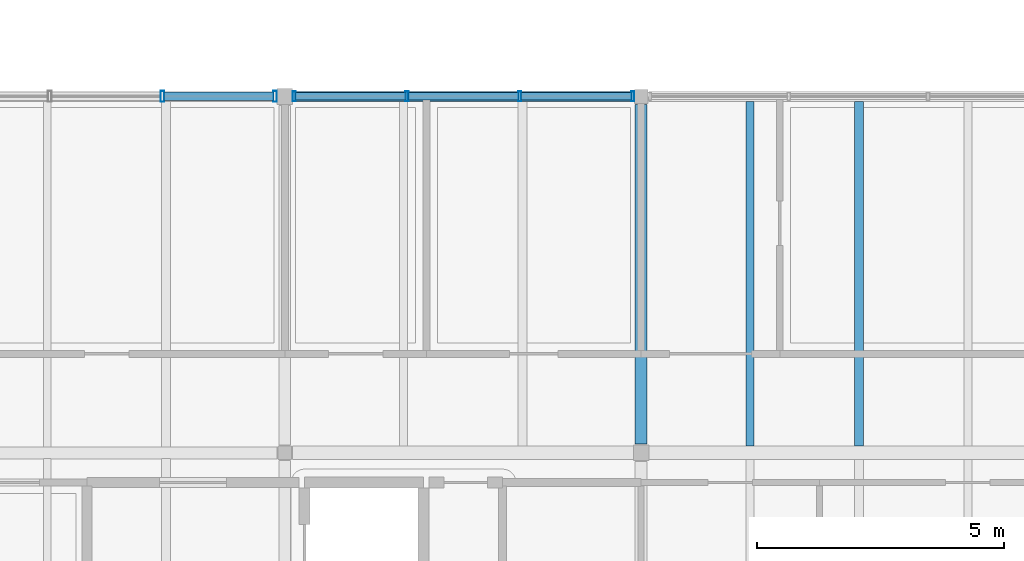
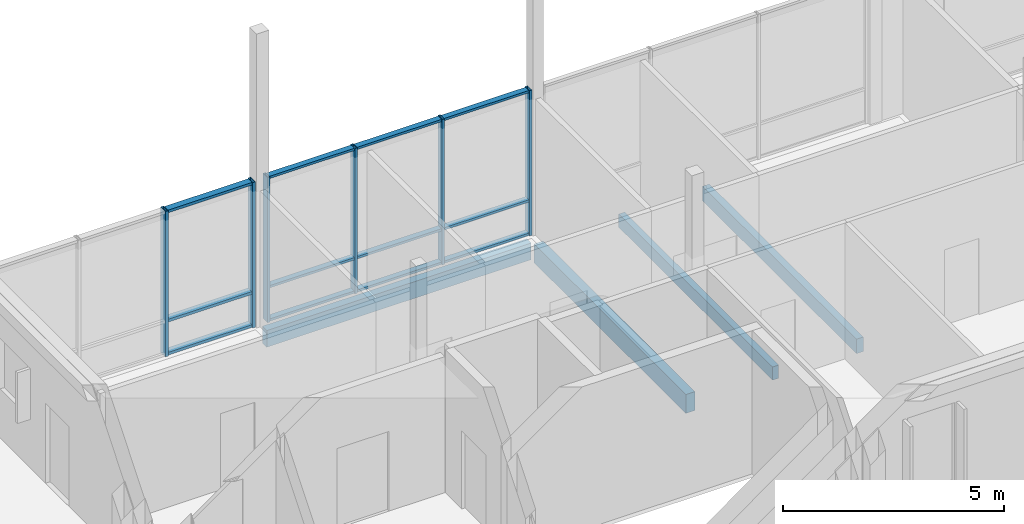
# One storey, part 9 of 57: 18 members, 4 beams, 2 elements without a shape of their own.
"""IFC4 building model written with IfcOpenShell, lengths in metres."""

from ifc_helpers import new_model, si_unit, direction, frame, origin, origin_2d, place, context, subcontext, project, spatial, rectangle, hollow_rectangle, extrude, material, material_profile, profile_set, type_object, element, aggregate, save


model = new_model("IFC4")

# Units and contexts
model_context = context("Model", 3, precision=1e-05, world=origin(), true_north=direction((0.0, 1.0)))
body_context = subcontext(model_context, "Body", "Model", "MODEL_VIEW")
ifc_project = project(units=[si_unit("LENGTHUNIT", "METRE"), si_unit("AREAUNIT", "SQUARE_METRE"), si_unit("VOLUMEUNIT", "CUBIC_METRE"), si_unit("PLANEANGLEUNIT", "RADIAN"), si_unit("MASSUNIT", "GRAM", prefix="KILO")], contexts=[model_context])

# Site, building, storey
site_placement = place(None, origin())
site = spatial("IfcSite", under=ifc_project, at=site_placement, CompositionType="ELEMENT")
building_placement = place(site_placement, origin())
building = spatial("IfcBuilding", under=site, at=building_placement, Name="Hawrajan Terrace Health Centre", CompositionType="ELEMENT")
storey_placement = place(building_placement, frame((0.0, 0.0, 13.199951171875)))
storey = spatial("IfcBuildingStorey", under=building, at=storey_placement, Name="L03", CompositionType="ELEMENT", Elevation=13.199951171875)

# Curtain wall, members
ifc_material_1 = material(Name="Anodized bronze aluminium and low-E solar glazing", Category="aluminium")
curtain_wall_type_1 = type_object("IfcCurtainWallType", Name="CW_Setback_SeriesL1", PredefinedType="USERDEFINED", material=ifc_material_1)
curtain_wall_1_placement = place(storey_placement, origin())
curtain_wall_1 = element("IfcCurtainWall", 1, at=curtain_wall_1_placement, inside=storey, type_object=curtain_wall_type_1, Name="Curtain wall CW-L03-166", ObjectType="UNITISED CURTAIN WALL", PredefinedType="USERDEFINED")
ifc_material_2 = material(Name="Anodized bronze aluminium 6063-T6", Category="aluminium")
ifc_material_profile_1 = material_profile(ifc_material_2, hollow_rectangle(XDim=0.06494140625, YDim=0.199951171875, WallThickness=0.00439453125, at=origin_2d()), Name="CW MUL 65x200")
ifc_profile_set_1 = profile_set([ifc_material_profile_1], Name="Anodized bronze aluminium 6063-T6")
member_type_1 = type_object("IfcMemberType", Name="CWMullion_65x200", PredefinedType="MULLION", material=ifc_profile_set_1)
member_1_placement = place(storey_placement, frame((55.1923828125, 18.60009765625, -0.0048828125), z_axis=(0.0, 0.0, 1.0), x_axis=(1.0, 0.0, 0.0)))
member_1 = element("IfcMember", 2, at=member_1_placement, type_object=member_type_1, Name="Mullion CW-L03-166-M1", PredefinedType="MULLION", context=body_context, shape_type="SweptSolid", body=[
    extrude(hollow_rectangle(XDim=0.06494140625, YDim=0.199951171875, WallThickness=0.00439453125, at=origin_2d()), origin(), (0.0, 0.0, 1.0), 4.010009765625),
])
member_2_placement = place(storey_placement, frame((57.470703125, 18.60009765625, -0.0048828125), z_axis=(0.0, 0.0, 1.0), x_axis=(1.0, 0.0, 0.0)))
member_2 = element("IfcMember", 3, at=member_2_placement, type_object=member_type_1, Name="Mullion CW-L03-166-M2", PredefinedType="MULLION", context=body_context, shape_type="SweptSolid", body=[
    extrude(hollow_rectangle(XDim=0.06494140625, YDim=0.199951171875, WallThickness=0.00439453125, at=origin_2d()), origin(), (0.0, 0.0, 1.0), 4.010009765625),
])
member_3_placement = place(storey_placement, frame((59.749267578125, 18.60009765625, -0.0048828125), z_axis=(0.0, 0.0, 1.0), x_axis=(1.0, 0.0, 0.0)))
member_3 = element("IfcMember", 4, at=member_3_placement, type_object=member_type_1, Name="Mullion CW-L03-166-M3", PredefinedType="MULLION", context=body_context, shape_type="SweptSolid", body=[
    extrude(hollow_rectangle(XDim=0.06494140625, YDim=0.199951171875, WallThickness=0.00439453125, at=origin_2d()), origin(), (0.0, 0.0, 1.0), 4.010009765625),
])
member_4_placement = place(storey_placement, frame((62.027587890625, 18.60009765625, -0.0048828125), z_axis=(0.0, 0.0, 1.0), x_axis=(1.0, 0.0, 0.0)))
member_4 = element("IfcMember", 5, at=member_4_placement, type_object=member_type_1, Name="Mullion CW-L03-166-M4", PredefinedType="MULLION", context=body_context, shape_type="SweptSolid", body=[
    extrude(hollow_rectangle(XDim=0.06494140625, YDim=0.199951171875, WallThickness=0.00439453125, at=origin_2d()), origin(), (0.0, 0.0, 1.0), 4.010009765625),
])

curtain_wall_type_2 = type_object("IfcCurtainWallType", Name="CW_Bridge_SeriesJ1", PredefinedType="USERDEFINED", material=ifc_material_1)
curtain_wall_2_placement = place(storey_placement, origin())
curtain_wall_2 = element("IfcCurtainWall", 6, at=curtain_wall_2_placement, inside=storey, type_object=curtain_wall_type_2, Name="Curtain wall CW-L03-164", ObjectType="UNITISED CURTAIN WALL", PredefinedType="USERDEFINED")
ifc_material_profile_2 = material_profile(ifc_material_2, hollow_rectangle(XDim=0.074951171875, YDim=0.219970703125, WallThickness=0.0048828125, at=origin_2d()), Name="CW MUL 75x220")
ifc_profile_set_2 = profile_set([ifc_material_profile_2], Name="Anodized bronze aluminium 6063-T6")
member_type_2 = type_object("IfcMemberType", Name="CWMullion_75x220", PredefinedType="MULLION", material=ifc_profile_set_2)
member_5_placement = place(storey_placement, frame((52.527587890625, 18.60009765625, -0.0048828125), z_axis=(0.0, 0.0, 1.0), x_axis=(1.0, 0.0, 0.0)))
member_5 = element("IfcMember", 7, at=member_5_placement, type_object=member_type_2, Name="Mullion CW-L03-164-M3", PredefinedType="MULLION", context=body_context, shape_type="SweptSolid", body=[
    extrude(hollow_rectangle(XDim=0.074951171875, YDim=0.219970703125, WallThickness=0.0048828125, at=origin_2d()), origin(), (0.0, 0.0, 1.0), 4.010009765625),
])
member_6_placement = place(storey_placement, frame((54.802490234375, 18.60009765625, -0.0048828125), z_axis=(0.0, 0.0, 1.0), x_axis=(1.0, 0.0, 0.0)))
member_6 = element("IfcMember", 8, at=member_6_placement, type_object=member_type_2, Name="Mullion CW-L03-164-M4", PredefinedType="MULLION", context=body_context, shape_type="SweptSolid", body=[
    extrude(hollow_rectangle(XDim=0.074951171875, YDim=0.219970703125, WallThickness=0.0048828125, at=origin_2d()), origin(), (0.0, 0.0, 1.0), 4.010009765625),
])

# Member
ifc_material_profile_3 = material_profile(ifc_material_2, hollow_rectangle(XDim=0.06494140625, YDim=0.14990234375, WallThickness=0.00390625, at=origin_2d()), Name="CW TRN 65x150")
ifc_profile_set_3 = profile_set([ifc_material_profile_3], Name="Anodized bronze aluminium 6063-T6")
member_type_3 = type_object("IfcMemberType", Name="CWTransom_65x150", PredefinedType="USERDEFINED", material=ifc_profile_set_3)
member_7_placement = place(storey_placement, frame((55.218994140625, 18.60009765625, 0.032470703125), z_axis=(1.0, 0.0, 0.0), x_axis=(0.0, 0.0, 1.0)))
member_7 = element("IfcMember", 9, at=member_7_placement, type_object=member_type_3, Name="Transom CW-L03-166-T1-1", ObjectType="TRANSOM", PredefinedType="USERDEFINED", context=body_context, shape_type="SweptSolid", body=[
    extrude(hollow_rectangle(XDim=0.06494140625, YDim=0.14990234375, WallThickness=0.00390625, at=origin_2d()), origin(), (0.0, 0.0, 1.0), 2.225341796875),
])

member_8_placement = place(storey_placement, frame((55.218994140625, 18.60009765625, 0.949951171875), z_axis=(1.0, 0.0, 0.0), x_axis=(0.0, 0.0, 1.0)))
member_8 = element("IfcMember", 10, at=member_8_placement, type_object=member_type_3, Name="Transom CW-L03-166-T1-2", ObjectType="TRANSOM", PredefinedType="USERDEFINED", context=body_context, shape_type="SweptSolid", body=[
    extrude(hollow_rectangle(XDim=0.06494140625, YDim=0.14990234375, WallThickness=0.00390625, at=origin_2d()), origin(), (0.0, 0.0, 1.0), 2.225341796875),
])

member_9_placement = place(storey_placement, frame((55.218994140625, 18.60009765625, 3.967529296875), z_axis=(1.0, 0.0, 0.0), x_axis=(0.0, 0.0, 1.0)))
member_9 = element("IfcMember", 11, at=member_9_placement, type_object=member_type_3, Name="Transom CW-L03-166-T1-3", ObjectType="TRANSOM", PredefinedType="USERDEFINED", context=body_context, shape_type="SweptSolid", body=[
    extrude(hollow_rectangle(XDim=0.06494140625, YDim=0.14990234375, WallThickness=0.00390625, at=origin_2d()), origin(), (0.0, 0.0, 1.0), 2.225341796875),
])

member_10_placement = place(storey_placement, frame((57.497314453125, 18.60009765625, 0.032470703125), z_axis=(1.0, 0.0, 0.0), x_axis=(0.0, 0.0, 1.0)))
member_10 = element("IfcMember", 12, at=member_10_placement, type_object=member_type_3, Name="Transom CW-L03-166-T2-1", ObjectType="TRANSOM", PredefinedType="USERDEFINED", context=body_context, shape_type="SweptSolid", body=[
    extrude(hollow_rectangle(XDim=0.06494140625, YDim=0.14990234375, WallThickness=0.00390625, at=origin_2d()), origin(), (0.0, 0.0, 1.0), 2.225341796875),
])

member_11_placement = place(storey_placement, frame((57.497314453125, 18.60009765625, 0.949951171875), z_axis=(1.0, 0.0, 0.0), x_axis=(0.0, 0.0, 1.0)))
member_11 = element("IfcMember", 13, at=member_11_placement, type_object=member_type_3, Name="Transom CW-L03-166-T2-2", ObjectType="TRANSOM", PredefinedType="USERDEFINED", context=body_context, shape_type="SweptSolid", body=[
    extrude(hollow_rectangle(XDim=0.06494140625, YDim=0.14990234375, WallThickness=0.00390625, at=origin_2d()), origin(), (0.0, 0.0, 1.0), 2.225341796875),
])

member_12_placement = place(storey_placement, frame((57.497314453125, 18.60009765625, 3.967529296875), z_axis=(1.0, 0.0, 0.0), x_axis=(0.0, 0.0, 1.0)))
member_12 = element("IfcMember", 14, at=member_12_placement, type_object=member_type_3, Name="Transom CW-L03-166-T2-3", ObjectType="TRANSOM", PredefinedType="USERDEFINED", context=body_context, shape_type="SweptSolid", body=[
    extrude(hollow_rectangle(XDim=0.06494140625, YDim=0.14990234375, WallThickness=0.00390625, at=origin_2d()), origin(), (0.0, 0.0, 1.0), 2.225341796875),
])

member_13_placement = place(storey_placement, frame((59.775634765625, 18.60009765625, 0.032470703125), z_axis=(1.0, 0.0, 0.0), x_axis=(0.0, 0.0, 1.0)))
member_13 = element("IfcMember", 15, at=member_13_placement, type_object=member_type_3, Name="Transom CW-L03-166-T3-1", ObjectType="TRANSOM", PredefinedType="USERDEFINED", context=body_context, shape_type="SweptSolid", body=[
    extrude(hollow_rectangle(XDim=0.06494140625, YDim=0.14990234375, WallThickness=0.00390625, at=origin_2d()), origin(), (0.0, 0.0, 1.0), 2.225341796875),
])

member_14_placement = place(storey_placement, frame((59.775634765625, 18.60009765625, 0.949951171875), z_axis=(1.0, 0.0, 0.0), x_axis=(0.0, 0.0, 1.0)))
member_14 = element("IfcMember", 16, at=member_14_placement, type_object=member_type_3, Name="Transom CW-L03-166-T3-2", ObjectType="TRANSOM", PredefinedType="USERDEFINED", context=body_context, shape_type="SweptSolid", body=[
    extrude(hollow_rectangle(XDim=0.06494140625, YDim=0.14990234375, WallThickness=0.00390625, at=origin_2d()), origin(), (0.0, 0.0, 1.0), 2.225341796875),
])

member_15_placement = place(storey_placement, frame((59.775634765625, 18.60009765625, 3.967529296875), z_axis=(1.0, 0.0, 0.0), x_axis=(0.0, 0.0, 1.0)))
member_15 = element("IfcMember", 17, at=member_15_placement, type_object=member_type_3, Name="Transom CW-L03-166-T3-3", ObjectType="TRANSOM", PredefinedType="USERDEFINED", context=body_context, shape_type="SweptSolid", body=[
    extrude(hollow_rectangle(XDim=0.06494140625, YDim=0.14990234375, WallThickness=0.00390625, at=origin_2d()), origin(), (0.0, 0.0, 1.0), 2.225341796875),
])

aggregate(curtain_wall_1, [member_1, member_2, member_3, member_4, member_7, member_8, member_9, member_10, member_11, member_12, member_13, member_14, member_15])

ifc_material_profile_4 = material_profile(ifc_material_2, hollow_rectangle(XDim=0.074951171875, YDim=0.169921875, WallThickness=0.00439453125, at=origin_2d()), Name="CW TRN 75x170")
ifc_profile_set_4 = profile_set([ifc_material_profile_4], Name="Anodized bronze aluminium 6063-T6")
member_type_4 = type_object("IfcMemberType", Name="CWTransom_75x170", PredefinedType="USERDEFINED", material=ifc_profile_set_4)
member_16_placement = place(storey_placement, frame((52.55908203125, 18.60009765625, 0.03759765625), z_axis=(1.0, 0.0, 0.0), x_axis=(0.0, 0.0, 1.0)))
member_16 = element("IfcMember", 18, at=member_16_placement, type_object=member_type_4, Name="Transom CW-L03-164-T3-1", ObjectType="TRANSOM", PredefinedType="USERDEFINED", context=body_context, shape_type="SweptSolid", body=[
    extrude(hollow_rectangle(XDim=0.074951171875, YDim=0.169921875, WallThickness=0.00439453125, at=origin_2d()), origin(), (0.0, 0.0, 1.0), 2.2119140625),
])

member_17_placement = place(storey_placement, frame((52.55908203125, 18.60009765625, 0.949951171875), z_axis=(1.0, 0.0, 0.0), x_axis=(0.0, 0.0, 1.0)))
member_17 = element("IfcMember", 19, at=member_17_placement, type_object=member_type_4, Name="Transom CW-L03-164-T3-2", ObjectType="TRANSOM", PredefinedType="USERDEFINED", context=body_context, shape_type="SweptSolid", body=[
    extrude(hollow_rectangle(XDim=0.074951171875, YDim=0.169921875, WallThickness=0.00439453125, at=origin_2d()), origin(), (0.0, 0.0, 1.0), 2.2119140625),
])

member_18_placement = place(storey_placement, frame((52.55908203125, 18.60009765625, 3.962646484375), z_axis=(1.0, 0.0, 0.0), x_axis=(0.0, 0.0, 1.0)))
member_18 = element("IfcMember", 20, at=member_18_placement, type_object=member_type_4, Name="Transom CW-L03-164-T3-3", ObjectType="TRANSOM", PredefinedType="USERDEFINED", context=body_context, shape_type="SweptSolid", body=[
    extrude(hollow_rectangle(XDim=0.074951171875, YDim=0.169921875, WallThickness=0.00439453125, at=origin_2d()), origin(), (0.0, 0.0, 1.0), 2.2119140625),
])

aggregate(curtain_wall_2, [member_5, member_6, member_16, member_17, member_18])

# Beams
ifc_material_3 = material(Name="Glulam GL32h", Category="wood")
ifc_material_profile_5 = material_profile(ifc_material_3, rectangle(XDim=0.239990234375, YDim=0.52001953125, at=origin_2d()), Name="GL BM 240x520")
ifc_profile_set_5 = profile_set([ifc_material_profile_5], Name="Glulam GL32h")
beam_type_1 = type_object("IfcBeamType", Name="GlulamGirder_240x520", PredefinedType="BEAM", material=ifc_profile_set_5)
beam_1_placement = place(storey_placement, frame((62.199951171875, 11.580078125, -0.469970703125), z_axis=(0.0, 1.0, 0.0), x_axis=(-1.0, 0.0, 0.0)))
element("IfcBeam", 21, at=beam_1_placement, inside=storey, type_object=beam_type_1, Name="Beam BM-Y-L03-W-X09-2", PredefinedType="BEAM", context=body_context, shape_type="SweptSolid", body=[
    extrude(rectangle(XDim=0.239990234375, YDim=0.52001953125, at=origin_2d()), origin(), (0.0, 0.0, 1.0), 6.85986328125),
])
ifc_material_4 = material(Name="Glulam GL28h", Category="wood")
ifc_material_profile_6 = material_profile(ifc_material_4, rectangle(XDim=0.159912109375, YDim=0.360107421875, at=origin_2d()), Name="GL JST 160x360")
ifc_profile_set_6 = profile_set([ifc_material_profile_6], Name="Glulam GL28h")
beam_type_2 = type_object("IfcBeamType", Name="GlulamJoist_160x360", PredefinedType="JOIST", material=ifc_profile_set_6)
beam_2_placement = place(storey_placement, frame((64.39990234375, 11.5400390625, -0.389892578125), z_axis=(0.0, 1.0, 0.0), x_axis=(-1.0, 0.0, 0.0)))
element("IfcBeam", 22, at=beam_2_placement, inside=storey, type_object=beam_type_2, Name="Secondary joist JST-L03-W-09-2-1", PredefinedType="JOIST", context=body_context, shape_type="SweptSolid", body=[
    extrude(rectangle(XDim=0.159912109375, YDim=0.360107421875, at=origin_2d()), origin(), (0.0, 0.0, 1.0), 6.9599609375),
])
ifc_material_profile_7 = material_profile(ifc_material_4, rectangle(XDim=0.179931640625, YDim=0.39990234375, at=origin_2d()), Name="GL JST 180x400")
ifc_profile_set_7 = profile_set([ifc_material_profile_7], Name="Glulam GL28h")
beam_type_3 = type_object("IfcBeamType", Name="GlulamJoist_180x400", PredefinedType="JOIST", material=ifc_profile_set_7)
beam_3_placement = place(storey_placement, frame((66.60009765625, 11.5400390625, -0.409912109375), z_axis=(0.0, 1.0, 0.0), x_axis=(-1.0, 0.0, 0.0)))
element("IfcBeam", 23, at=beam_3_placement, inside=storey, type_object=beam_type_3, Name="Secondary joist JST-L03-W-09-2-2", PredefinedType="JOIST", context=body_context, shape_type="SweptSolid", body=[
    extrude(rectangle(XDim=0.179931640625, YDim=0.39990234375, at=origin_2d()), origin(), (0.0, 0.0, 1.0), 6.9599609375),
])
ifc_material_profile_8 = material_profile(ifc_material_3, rectangle(XDim=0.199951171875, YDim=0.4599609375, at=origin_2d()), Name="GL SP 200x460")
ifc_profile_set_8 = profile_set([ifc_material_profile_8], Name="Glulam GL32h")
beam_type_4 = type_object("IfcBeamType", Name="GlulamSpandrel_200x460", PredefinedType="SPANDREL", material=ifc_profile_set_8)
beam_4_placement = place(storey_placement, frame((55.139892578125, 18.60009765625, -0.43994140625), z_axis=(1.0, 0.0, 0.0), x_axis=(0.0, 1.0, 0.0)))
element("IfcBeam", 24, at=beam_4_placement, inside=storey, type_object=beam_type_4, Name="Beam BM-X-L03-W-08-Y3", PredefinedType="SPANDREL", context=body_context, shape_type="SweptSolid", body=[
    extrude(rectangle(XDim=0.199951171875, YDim=0.4599609375, at=origin_2d()), origin(), (0.0, 0.0, 1.0), 6.900146484375),
])

save(model, "model.ifc")
